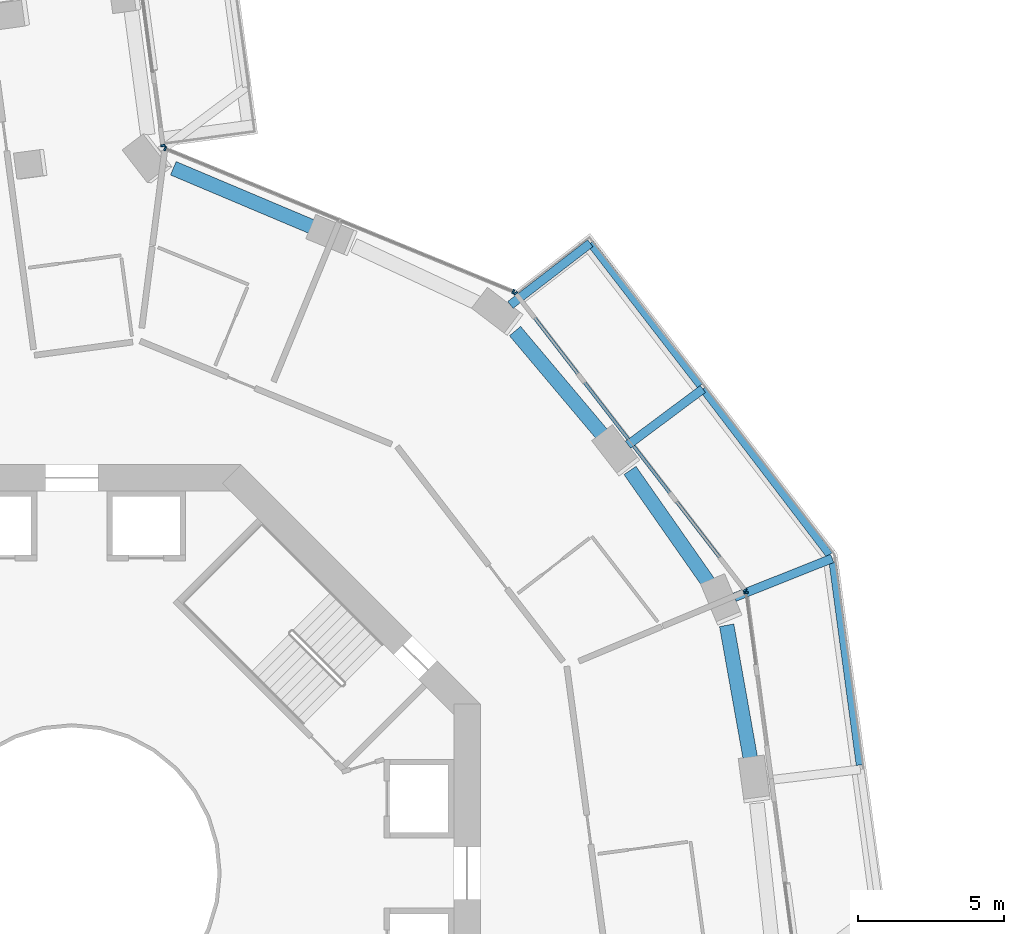
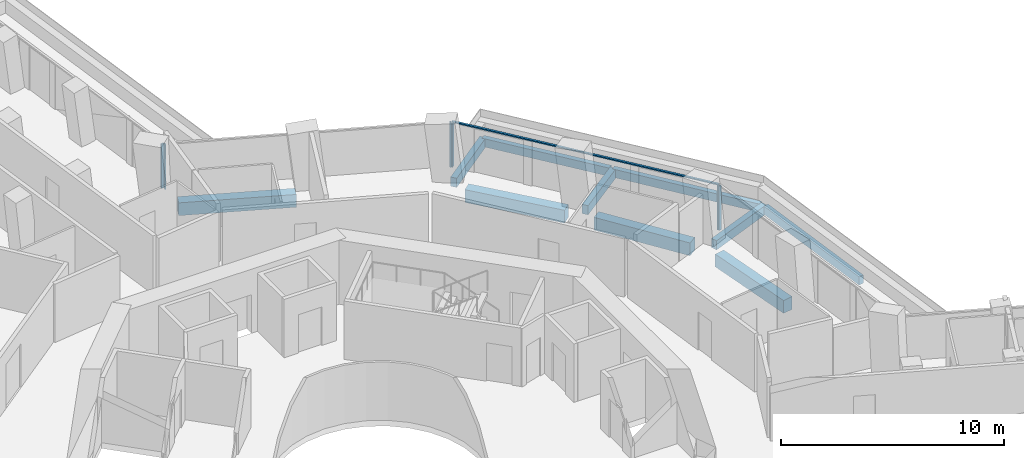
# One storey, part 9 of 27: 10 beams, 7 members, 4 elements without a shape of their own.
"""IFC4 building model written with IfcOpenShell, lengths in metres."""

import ifcopenshell
import ifcopenshell.guid

model = None  # the IFC model being written
_history = None  # IfcOwnerHistory: only IFC2X3 demands one
_inside = {}  # id of a spatial element -> (the spatial element, [elements in it])
_under = {}  # id of a project, library or spatial element -> (it, [spatial elements below it])
_declared = {}  # id of a project -> (the project, [libraries it declares])
_typed = {}  # id of a type object -> (the type object, [elements of that type])
_made_of = {}  # id of a material, layer set ... -> (it, [elements and type objects made of it])


def new_model(schema):
    """Start an empty IFC model of exactly this schema.

    Asked for "IFC4X3", IfcOpenShell would pick the latest addendum, in which some entities
    have other attributes; the version numbers below select the first issue.
    IFC2X3 requires an IfcOwnerHistory on every rooted entity: one is made here for all.
    """
    global model, _history
    if schema == "IFC4X3":
        model = ifcopenshell.file(schema_version=(4, 3, 0, 0))
    else:
        model = ifcopenshell.file(schema=schema)
    _inside.clear()
    _under.clear()
    _declared.clear()
    _typed.clear()
    _made_of.clear()
    _history = None
    if model.schema == "IFC2X3":
        org = make("IfcOrganization", Name="unknown")
        user = make(
            "IfcPersonAndOrganization",
            ThePerson=make("IfcPerson", FamilyName="unknown"),
            TheOrganization=org,
        )
        app = make(
            "IfcApplication",
            ApplicationDeveloper=org,
            Version="unknown",
            ApplicationFullName="unknown",
            ApplicationIdentifier="unknown",
        )
        _history = make(
            "IfcOwnerHistory",
            OwningUser=user,
            OwningApplication=app,
            ChangeAction="ADDED",
            CreationDate=0,
        )
    return model


def make(cls, **values):
    """One entity of the class cls with the attributes given. An attribute that is None is left unset."""
    return model.create_entity(
        cls, **{name: value for name, value in values.items() if value is not None}
    )


def rooted(cls, **values):
    """An entity with a GlobalId (a new one), such as an element, a storey or a relation."""
    return make(cls, GlobalId=ifcopenshell.guid.new(), OwnerHistory=_history, **values)


def si_unit(unit_type, name, prefix=None):
    """IfcSIUnit, for example si_unit("LENGTHUNIT", "METRE", prefix="MILLI")."""
    return make("IfcSIUnit", UnitType=unit_type, Prefix=prefix, Name=name)


def assignment(units):
    """IfcUnitAssignment: the units of a project."""
    return None if units is None else make("IfcUnitAssignment", Units=units)


def point(xyz):
    """IfcCartesianPoint."""
    return None if xyz is None else make("IfcCartesianPoint", Coordinates=xyz)


def direction(xyz):
    """IfcDirection."""
    return None if xyz is None else make("IfcDirection", DirectionRatios=xyz)


def frame(location, z_axis=None, x_axis=None):
    """IfcAxis2Placement3D, a coordinate frame: its origin and axes. An axis left out is left unset."""
    return make(
        "IfcAxis2Placement3D",
        Location=point(location),
        Axis=direction(z_axis),
        RefDirection=direction(x_axis),
    )


def frame_2d(location, x_axis=None):
    """IfcAxis2Placement2D, a coordinate frame in the plane: its origin and x axis."""
    return make(
        "IfcAxis2Placement2D", Location=point(location), RefDirection=direction(x_axis)
    )


def origin():
    """The frame at (0, 0, 0) with its axes left unset."""
    return frame((0.0, 0.0, 0.0))


def origin_2d():
    """The frame at (0, 0) in the plane with its x axis left unset."""
    return frame_2d((0.0, 0.0))


def place(relative_to, where):
    """IfcLocalPlacement: puts the frame where relative to a parent placement (None: the world)."""
    return make(
        "IfcLocalPlacement", PlacementRelTo=relative_to, RelativePlacement=where
    )


def context(
    kind, dimensions, precision=None, world=None, true_north=None, identifier=None
):
    """IfcGeometricRepresentationContext, for example the 3D "Model" context."""
    return make(
        "IfcGeometricRepresentationContext",
        ContextIdentifier=identifier,
        ContextType=kind,
        CoordinateSpaceDimension=dimensions,
        Precision=precision,
        WorldCoordinateSystem=world,
        TrueNorth=true_north,
    )


def subcontext(parent, identifier, kind, view, scale=None):
    """IfcGeometricRepresentationSubContext, for example "Body" below "Model"."""
    return make(
        "IfcGeometricRepresentationSubContext",
        ContextIdentifier=identifier,
        ContextType=kind,
        ParentContext=parent,
        TargetScale=scale,
        TargetView=view,
    )


def project(units=None, contexts=None):
    """IfcProject with its units and contexts."""
    return rooted(
        "IfcProject",
        Name="project",
        RepresentationContexts=contexts,
        UnitsInContext=assignment(units),
    )


def spatial(cls, under=None, at=None, **own):
    """A site, building, storey or space (cls), placed at a placement, below another one or the project."""
    s = rooted(cls, ObjectPlacement=at, **own)
    if under is not None:
        _under.setdefault(under.id(), (under, []))[1].append(s)
    return s


def profile(cls, at=None, kind="AREA", **sizes):
    """A parametric profile (cls). Its sizes go by their IFC names, for example OverallWidth=200.0."""
    return make(cls, ProfileType=kind, Position=at, **sizes)


def rectangle(**sizes):
    """IfcRectangleProfileDef."""
    return profile("IfcRectangleProfileDef", **sizes)


def extrude(swept, where, along, depth):
    """IfcExtrudedAreaSolid: the profile swept, set in the frame where, extruded along a direction by depth."""
    return make(
        "IfcExtrudedAreaSolid",
        SweptArea=swept,
        Position=where,
        ExtrudedDirection=direction(along),
        Depth=depth,
    )


def shape(context_of_items, identifier, shape_type, items):
    """IfcShapeRepresentation: the items that make up one representation, for example the "Body"."""
    return make(
        "IfcShapeRepresentation",
        ContextOfItems=context_of_items,
        RepresentationIdentifier=identifier,
        RepresentationType=shape_type,
        Items=items,
    )


def material(Name=None, Category=None):
    """IfcMaterial."""
    return make("IfcMaterial", Name=Name, Category=Category)


def layer(
    of_material, thickness, ventilated=None, Name=None, Category=None, Priority=None
):
    """IfcMaterialLayer: one layer of a wall or slab, of a material (None: an air gap)."""
    return make(
        "IfcMaterialLayer",
        Material=of_material,
        LayerThickness=thickness,
        IsVentilated=ventilated,
        Name=Name,
        Category=Category,
        Priority=Priority,
    )


def layer_set(layers, Name=None):
    """IfcMaterialLayerSet."""
    return make("IfcMaterialLayerSet", MaterialLayers=layers, LayerSetName=Name)


def material_profile(
    of_material, cross_section, Name=None, Category=None, Priority=None
):
    """IfcMaterialProfile: a cross section and its material."""
    return make(
        "IfcMaterialProfile",
        Name=Name,
        Material=of_material,
        Profile=cross_section,
        Priority=Priority,
        Category=Category,
    )


def profile_set(profiles, Name=None, composite=None):
    """IfcMaterialProfileSet."""
    return make(
        "IfcMaterialProfileSet",
        Name=Name,
        MaterialProfiles=profiles,
        CompositeProfile=composite,
    )


def made_of(thing, what):
    """Note that an element or type object is made of a material, layer set ...; save() writes the relation."""
    if what is not None:
        _made_of.setdefault(what.id(), (what, []))[1].append(thing)
    return thing


def type_object(cls, material=None, **own):
    """A type object (cls), such as IfcWallType, which elements share."""
    return made_of(rooted(cls, **own), material)


def element(
    cls,
    number,
    at=None,
    inside=None,
    cuts=None,
    type_object=None,
    material=None,
    context=None,
    identifier="Body",
    shape_type=None,
    held_by="IfcProductDefinitionShape",
    body=None,
    shapes=None,
    **own,
):
    """One element of the class cls, such as IfcWall. Its Tag is "e" and its number.

    at: its placement. inside: the storey or other place that contains it. cuts: it is an
    opening in that element (IfcRelVoidsElement). A single representation is given by context,
    identifier, shape_type and body (its items); several are given by shapes. held_by: the class
    of the entity that holds the representations. save() writes the other relations.
    """
    e = rooted(cls, Tag="e%d" % number, ObjectPlacement=at, **own)
    if body is not None:
        shapes = [shape(context, identifier, shape_type, body)]
    if shapes is not None:
        e.Representation = make(held_by, Representations=shapes)
    if inside is not None:
        _inside.setdefault(inside.id(), (inside, []))[1].append(e)
    if cuts is not None:
        rooted(
            "IfcRelVoidsElement", RelatingBuildingElement=cuts, RelatedOpeningElement=e
        )
    if type_object is not None:
        _typed.setdefault(type_object.id(), (type_object, []))[1].append(e)
    return made_of(e, material)


def aggregate(whole, parts):
    """IfcRelAggregates: a whole, such as a stair, and the parts it consists of."""
    return rooted("IfcRelAggregates", RelatingObject=whole, RelatedObjects=parts)


def save(model, path):
    """Write the relations noted so far, then the file.

    IfcRelAggregates (storeys below a building ...), IfcRelContainedInSpatialStructure (elements
    in a storey), IfcRelDefinesByType, IfcRelAssociatesMaterial and IfcRelDeclares: one each for
    every whole, place, type object, material and project.
    """
    for whole, parts in _under.values():
        aggregate(whole, parts)
    for where, things in _inside.values():
        rooted(
            "IfcRelContainedInSpatialStructure",
            RelatedElements=things,
            RelatingStructure=where,
        )
    for kind, things in _typed.values():
        rooted("IfcRelDefinesByType", RelatedObjects=things, RelatingType=kind)
    for what, things in _made_of.values():
        rooted("IfcRelAssociatesMaterial", RelatedObjects=things, RelatingMaterial=what)
    for by, libraries in _declared.values():
        rooted("IfcRelDeclares", RelatingContext=by, RelatedDefinitions=libraries)
    model.write(path)


model = new_model("IFC4")

# Units and contexts
model_context = context("Model", 3, precision=1e-05, world=origin(), true_north=direction((0.0, 1.0)))
body_context = subcontext(model_context, "Body", "Model", "MODEL_VIEW")
ifc_project = project(units=[si_unit("LENGTHUNIT", "METRE"), si_unit("AREAUNIT", "SQUARE_METRE"), si_unit("VOLUMEUNIT", "CUBIC_METRE"), si_unit("PLANEANGLEUNIT", "RADIAN"), si_unit("MASSUNIT", "GRAM", prefix="KILO")], contexts=[model_context])

# Site, building, storey
site_placement = place(None, origin())
site = spatial("IfcSite", under=ifc_project, at=site_placement, CompositionType="ELEMENT")
building_placement = place(site_placement, origin())
building = spatial("IfcBuilding", under=site, at=building_placement, Name="Verdalira Terraces Hotel", CompositionType="ELEMENT")
storey_placement = place(building_placement, frame((0.0, 0.0, 64.5)))
storey = spatial("IfcBuildingStorey", under=building, at=storey_placement, Name="L14", CompositionType="ELEMENT", Elevation=64.5)

# Beams
ifc_material_1 = material(Name="Concrete C40", Category="concrete")
ifc_material_profile_1 = material_profile(ifc_material_1, rectangle(XDim=0.300049, YDim=0.5, at=origin_2d()), Name="RC 300X500")
ifc_profile_set_1 = profile_set([ifc_material_profile_1], Name="Concrete C40")
beam_type_1 = type_object("IfcBeamType", Name="Balcony cantilever beam RC 300X500 C40", PredefinedType="BEAM", material=ifc_profile_set_1)
beam_1_placement = place(storey_placement, frame((22.712402, 9.453125, -0.560059), z_axis=(0.928994956, 0.370092384, 0.0), x_axis=(-0.370092384, 0.928994956, 0.0)))
element("IfcBeam", 1, at=beam_1_placement, inside=storey, type_object=beam_type_1, Name="Balcony cantilever beam R39-3", PredefinedType="BEAM", context=body_context, shape_type="SweptSolid", body=[
    extrude(rectangle(XDim=0.300049, YDim=0.5, at=origin_2d()), origin(), (0.0, 0.0, 1.0), 3.599854),
])
beam_2_placement = place(storey_placement, frame((19.061768, 14.677979, -0.560059), z_axis=(0.801535148, 0.597947662, 0.0), x_axis=(-0.597947662, 0.801535148, 0.0)))
element("IfcBeam", 2, at=beam_2_placement, inside=storey, type_object=beam_type_1, Name="Balcony cantilever beam R39-4", PredefinedType="BEAM", context=body_context, shape_type="SweptSolid", body=[
    extrude(rectangle(XDim=0.300049, YDim=0.5, at=origin_2d()), origin(), (0.0, 0.0, 1.0), 3.200684),
])
beam_3_placement = place(storey_placement, frame((15.03125, 19.4729, -0.560059), z_axis=(0.791407609, 0.611288799, 0.0), x_axis=(-0.611288799, 0.791407609, 0.0)))
element("IfcBeam", 3, at=beam_3_placement, inside=storey, type_object=beam_type_1, Name="Balcony cantilever beam R39-5", PredefinedType="BEAM", context=body_context, shape_type="SweptSolid", body=[
    extrude(rectangle(XDim=0.300049, YDim=0.5, at=origin_2d()), origin(), (0.0, 0.0, 1.0), 3.458984),
])
ifc_material_2 = material(Name="Concrete C40", Category="concrete")
ifc_material_profile_2 = material_profile(ifc_material_2, rectangle(XDim=0.25, YDim=0.449951, at=origin_2d()), Name="RC 250X450")
ifc_profile_set_2 = profile_set([ifc_material_profile_2], Name="Concrete C40")
beam_type_2 = type_object("IfcBeamType", Name="Balcony edge beam RC 250X450 C40", PredefinedType="BEAM", material=ifc_profile_set_2)
beam_4_placement = place(storey_placement, frame((27.005615, 3.703857, -0.534912), z_axis=(-0.132824851, 0.991139526, 0.0), x_axis=(-0.991139526, -0.132824851, 0.0)))
element("IfcBeam", 4, at=beam_4_placement, inside=storey, type_object=beam_type_2, Name="Balcony edge beam R39-2", PredefinedType="BEAM", context=body_context, shape_type="SweptSolid", body=[
    extrude(rectangle(XDim=0.25, YDim=0.449951, at=origin_2d()), origin(), (0.0, 0.0, 1.0), 6.990234),
])
beam_5_placement = place(storey_placement, frame((25.962158, 10.90918, -0.534912), z_axis=(-0.606516523, 0.795070882, 0.0), x_axis=(-0.795070882, -0.606516523, 0.0)))
element("IfcBeam", 5, at=beam_5_placement, inside=storey, type_object=beam_type_2, Name="Balcony edge beam R39-3", PredefinedType="BEAM", context=body_context, shape_type="SweptSolid", body=[
    extrude(rectangle(XDim=0.25, YDim=0.449951, at=origin_2d()), origin(), (0.0, 0.0, 1.0), 7.147217),
])
beam_6_placement = place(storey_placement, frame((21.535645, 16.710449, -0.534912), z_axis=(-0.611273841, 0.791419162, 0.0), x_axis=(-0.791419162, -0.611273841, 0.0)))
element("IfcBeam", 6, at=beam_6_placement, inside=storey, type_object=beam_type_2, Name="Balcony edge beam R39-4", PredefinedType="BEAM", context=body_context, shape_type="SweptSolid", body=[
    extrude(rectangle(XDim=0.25, YDim=0.449951, at=origin_2d()), origin(), (0.0, 0.0, 1.0), 6.162354),
])

# Curtain wall, member
ifc_material_3 = material(Name="Clear glass", Category="glass")
ifc_layer_1 = layer(ifc_material_3, 0.14990234375)
ifc_layer_set_1 = layer_set([ifc_layer_1], Name="CW1 curtain wall")
curtain_wall_type_1 = type_object("IfcCurtainWallType", Name="CW1 curtain wall", PredefinedType="NOTDEFINED", material=ifc_layer_set_1)
curtain_wall_1_placement = place(storey_placement, origin())
curtain_wall_1 = element("IfcCurtainWall", 7, at=curtain_wall_1_placement, inside=storey, type_object=curtain_wall_type_1, Name="CW1 curtain wall L14 edge 39", PredefinedType="NOTDEFINED")
ifc_material_4 = material(Name="Terracotta frame", Category="masonry")
ifc_material_profile_3 = material_profile(ifc_material_4, rectangle(XDim=0.060059, YDim=0.149902, at=origin_2d()), Name="MU 60x150")
ifc_profile_set_3 = profile_set([ifc_material_profile_3], Name="Terracotta frame")
member_type_1 = type_object("IfcMemberType", Name="CW1 mullion 60x150", PredefinedType="MULLION", material=ifc_profile_set_3)
member_1_placement = place(storey_placement, frame((23.107178, 9.604004, 0.0), z_axis=(0.0, 0.0, 1.0), x_axis=(-0.133640259, 0.991029909, 0.0)))
member_1 = element("IfcMember", 8, at=member_1_placement, type_object=member_type_1, Name="CW1 mullion", PredefinedType="MULLION", context=body_context, shape_type="SweptSolid", body=[
    extrude(rectangle(XDim=0.060059, YDim=0.149902, at=origin_2d()), origin(), (0.0, 0.0, 1.0), 2.425049),
])
aggregate(curtain_wall_1, [member_1])

# Curtain wall, members
curtain_wall_2_placement = place(storey_placement, origin())
curtain_wall_2 = element("IfcCurtainWall", 9, at=curtain_wall_2_placement, inside=storey, type_object=curtain_wall_type_1, Name="CW1 curtain wall L14 edge 40", PredefinedType="NOTDEFINED")
member_2_placement = place(storey_placement, frame((23.069824, 9.693359, 0.0), z_axis=(0.0, 0.0, 1.0), x_axis=(-0.611250814, 0.791436948, 0.0)))
member_2 = element("IfcMember", 10, at=member_2_placement, type_object=member_type_1, Name="CW1 mullion", PredefinedType="MULLION", context=body_context, shape_type="SweptSolid", body=[
    extrude(rectangle(XDim=0.060059, YDim=0.149902, at=origin_2d()), origin(), (0.0, 0.0, 1.0), 2.425049),
])
member_3_placement = place(storey_placement, frame((15.209473, 19.87085, 0.0), z_axis=(0.0, 0.0, 1.0), x_axis=(-0.611250814, 0.791436948, 0.0)))
member_3 = element("IfcMember", 11, at=member_3_placement, type_object=member_type_1, Name="CW1 mullion", PredefinedType="MULLION", context=body_context, shape_type="SweptSolid", body=[
    extrude(rectangle(XDim=0.060059, YDim=0.149902, at=origin_2d()), origin(), (0.0, 0.0, 1.0), 2.425049),
])

curtain_wall_3_placement = place(storey_placement, origin())
curtain_wall_3 = element("IfcCurtainWall", 12, at=curtain_wall_3_placement, inside=storey, type_object=curtain_wall_type_1, Name="CW1 curtain wall L14 edge 41", PredefinedType="NOTDEFINED")
member_4_placement = place(storey_placement, frame((15.132324, 19.929443, 0.0), z_axis=(0.0, 0.0, 1.0), x_axis=(-0.925077207, 0.379779096, 0.0)))
member_4 = element("IfcMember", 13, at=member_4_placement, type_object=member_type_1, Name="CW1 mullion", PredefinedType="MULLION", context=body_context, shape_type="SweptSolid", body=[
    extrude(rectangle(XDim=0.060059, YDim=0.149902, at=origin_2d()), origin(), (0.0, 0.0, 1.0), 2.425049),
])
member_5_placement = place(storey_placement, frame((3.198975, 24.828613, 0.0), z_axis=(0.0, 0.0, 1.0), x_axis=(-0.925077207, 0.379779096, 0.0)))
member_5 = element("IfcMember", 14, at=member_5_placement, type_object=member_type_1, Name="CW1 mullion", PredefinedType="MULLION", context=body_context, shape_type="SweptSolid", body=[
    extrude(rectangle(XDim=0.060059, YDim=0.149902, at=origin_2d()), origin(), (0.0, 0.0, 1.0), 2.425049),
])
aggregate(curtain_wall_3, [member_4, member_5])

# Member
ifc_material_5 = material(Name="Terracotta frame", Category="masonry")
ifc_material_profile_4 = material_profile(ifc_material_5, rectangle(XDim=0.110107, YDim=0.064941, at=origin_2d()), Name="TR 65x110")
ifc_profile_set_4 = profile_set([ifc_material_profile_4], Name="Terracotta frame")
member_type_2 = type_object("IfcMemberType", Name="CW1 transom 65x110", PredefinedType="USERDEFINED", material=ifc_profile_set_4)
member_6_placement = place(storey_placement, frame((23.088135, 9.669434, 2.45752), z_axis=(-0.61125387, 0.791434587, 0.0), x_axis=(-0.791434587, -0.61125387, 0.0)))
member_6 = element("IfcMember", 15, at=member_6_placement, type_object=member_type_2, Name="CW1 transom", ObjectType="TRANSOM", PredefinedType="USERDEFINED", context=body_context, shape_type="SweptSolid", body=[
    extrude(rectangle(XDim=0.110107, YDim=0.064941, at=origin_2d()), origin(), (0.0, 0.0, 1.0), 12.919678),
])

aggregate(curtain_wall_2, [member_2, member_3, member_6])

# Curtain wall, member
ifc_material_6 = material(Name="Clear glass", Category="glass")
ifc_layer_2 = layer(ifc_material_6, 0.14990234375)
ifc_layer_set_2 = layer_set([ifc_layer_2], Name="CW2 curtain wall")
curtain_wall_type_2 = type_object("IfcCurtainWallType", Name="CW2 curtain wall", PredefinedType="NOTDEFINED", material=ifc_layer_set_2)
curtain_wall_4_placement = place(storey_placement, origin())
curtain_wall_4 = element("IfcCurtainWall", 16, at=curtain_wall_4_placement, inside=storey, type_object=curtain_wall_type_2, Name="CW2 curtain wall L14 edge 0", PredefinedType="NOTDEFINED")
ifc_material_7 = material(Name="Terracotta frame", Category="masonry")
ifc_material_profile_5 = material_profile(ifc_material_7, rectangle(XDim=0.070068, YDim=0.149902, at=origin_2d()), Name="MU 70x150")
ifc_profile_set_5 = profile_set([ifc_material_profile_5], Name="Terracotta frame")
member_type_3 = type_object("IfcMemberType", Name="CW2 mullion 70x150", PredefinedType="MULLION", material=ifc_profile_set_5)
member_7_placement = place(storey_placement, frame((3.12085, 24.934082, 0.0), z_axis=(0.0, 0.0, 1.0), x_axis=(-0.133640259, 0.991029909, 0.0)))
member_7 = element("IfcMember", 17, at=member_7_placement, type_object=member_type_3, Name="CW2 mullion", PredefinedType="MULLION", context=body_context, shape_type="SweptSolid", body=[
    extrude(rectangle(XDim=0.070068, YDim=0.149902, at=origin_2d()), origin(), (0.0, 0.0, 1.0), 2.425049),
])
aggregate(curtain_wall_4, [member_7])

# Beams
ifc_material_8 = material(Name="Concrete C70", Category="concrete")
ifc_material_profile_6 = material_profile(ifc_material_8, rectangle(XDim=0.5, YDim=0.699951, at=origin_2d()), Name="RC 500X700")
ifc_profile_set_6 = profile_set([ifc_material_profile_6], Name="Concrete C70")
beam_type_3 = type_object("IfcBeamType", Name="Spandrel beam RC 500X700 C70", PredefinedType="SPANDREL", material=ifc_profile_set_6)
beam_7_placement = place(storey_placement, frame((23.276611, 3.811523, -0.659912), z_axis=(-0.175428138, 0.984492239, 0.0), x_axis=(-0.984492239, -0.175428138, 0.0)))
element("IfcBeam", 18, at=beam_7_placement, inside=storey, type_object=beam_type_3, Name="Spandrel beam B31", PredefinedType="SPANDREL", context=body_context, shape_type="SweptSolid", body=[
    extrude(rectangle(XDim=0.5, YDim=0.699951, at=origin_2d()), origin(), (0.0, 0.0, 1.0), 4.755371),
])
beam_8_placement = place(storey_placement, frame((21.856445, 9.900146, -0.659912), z_axis=(-0.573217873, 0.819402996, 0.0), x_axis=(-0.819402996, -0.573217873, 0.0)))
element("IfcBeam", 19, at=beam_8_placement, inside=storey, type_object=beam_type_3, Name="Spandrel beam B32", PredefinedType="SPANDREL", context=body_context, shape_type="SweptSolid", body=[
    extrude(rectangle(XDim=0.5, YDim=0.699951, at=origin_2d()), origin(), (0.0, 0.0, 1.0), 4.759033),
])
beam_9_placement = place(storey_placement, frame((18.252197, 14.939209, -0.659912), z_axis=(-0.64417527, 0.764877913, 0.0), x_axis=(-0.764877913, -0.64417527, 0.0)))
element("IfcBeam", 20, at=beam_9_placement, inside=storey, type_object=beam_type_3, Name="Spandrel beam B33", PredefinedType="SPANDREL", context=body_context, shape_type="SweptSolid", body=[
    extrude(rectangle(XDim=0.5, YDim=0.699951, at=origin_2d()), origin(), (0.0, 0.0, 1.0), 4.755371),
])
beam_10_placement = place(storey_placement, frame((8.371582, 22.090332, -0.659912), z_axis=(-0.921322746, 0.388798659, 0.0), x_axis=(-0.388798659, -0.921322746, 0.0)))
element("IfcBeam", 21, at=beam_10_placement, inside=storey, type_object=beam_type_3, Name="Spandrel beam B35", PredefinedType="SPANDREL", context=body_context, shape_type="SweptSolid", body=[
    extrude(rectangle(XDim=0.5, YDim=0.699951, at=origin_2d()), origin(), (0.0, 0.0, 1.0), 5.311768),
])

save(model, "model.ifc")
